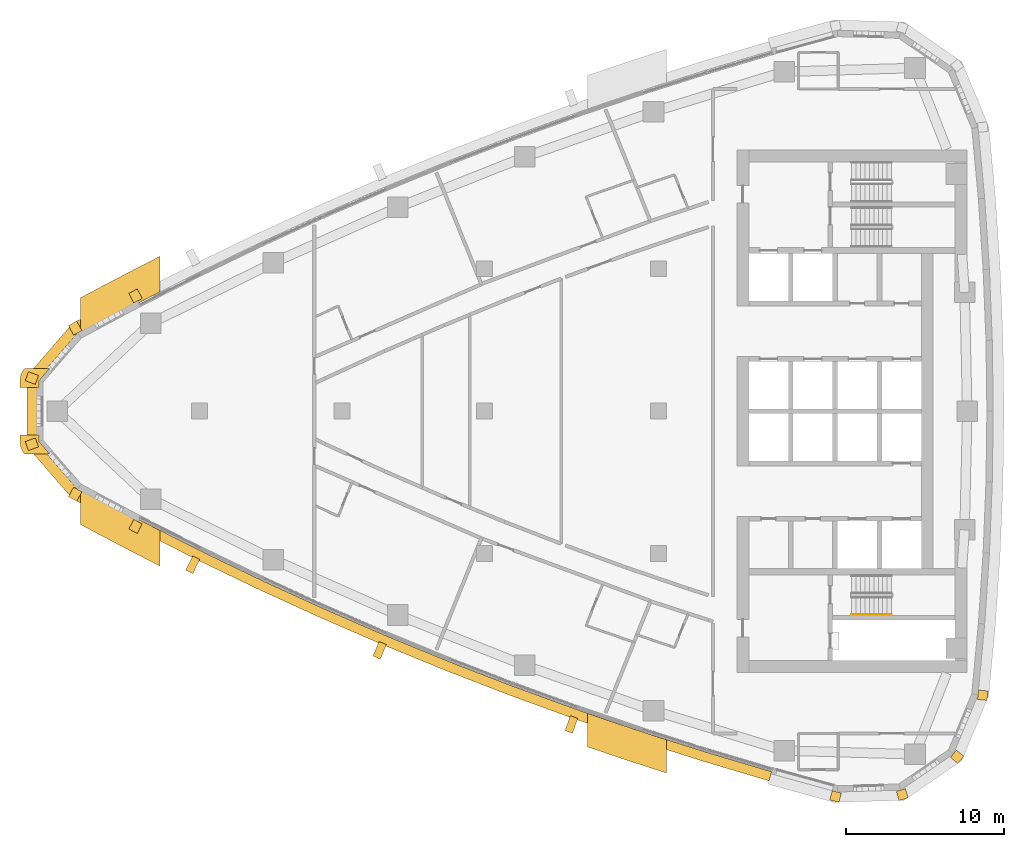
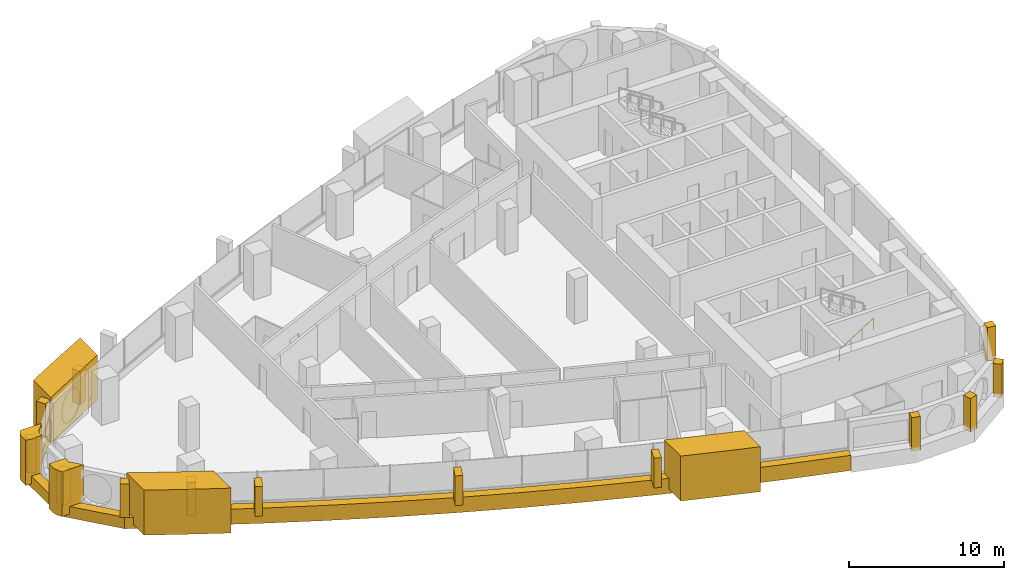
# One storey, part 13 of 16: 20 coverings, 1 railing.
"""IFC4 building model written with IfcOpenShell, lengths in metres."""

from ifc_helpers import new_model, si_unit, direction, frame, frame_2d, origin, origin_2d, place, context, subcontext, project, spatial, polyline, rectangle, circle, outline, extrude, material, layer, layer_set, type_object, element, save


model = new_model("IFC4")

# Units and contexts
model_context = context("Model", 3, precision=1e-05, world=origin(), true_north=direction((0.0, 1.0)))
body_context = subcontext(model_context, "Body", "Model", "MODEL_VIEW")
ifc_project = project(units=[si_unit("LENGTHUNIT", "METRE"), si_unit("AREAUNIT", "SQUARE_METRE"), si_unit("VOLUMEUNIT", "CUBIC_METRE"), si_unit("PLANEANGLEUNIT", "RADIAN"), si_unit("MASSUNIT", "GRAM", prefix="KILO")], contexts=[model_context])

# Site, building, storey
site_placement = place(None, origin())
site = spatial("IfcSite", under=ifc_project, at=site_placement, CompositionType="ELEMENT")
building_placement = place(site_placement, origin())
building = spatial("IfcBuilding", under=site, at=building_placement, Name="Ostrand Prow Hotel Tower", CompositionType="ELEMENT")
storey_placement = place(building_placement, frame((0.0, 0.0, 189.699951171875)))
storey = spatial("IfcBuildingStorey", under=building, at=storey_placement, Name="L47", CompositionType="ELEMENT", Elevation=189.699951171875)

# Coverings
ifc_material_1 = material(Name="Bronze anodised aluminium cladding", Category="aluminium")
ifc_layer_1 = layer(ifc_material_1, 0.60009765625)
ifc_layer_set_1 = layer_set([ifc_layer_1], Name="Bronze anodised aluminium cladding")
covering_type_1 = type_object("IfcCoveringType", Name="Bronze prow band 899x600", PredefinedType="CLADDING", material=ifc_layer_set_1)
covering_1_placement = place(storey_placement, frame((0.0, 0.0, -0.300048828125)))
element("IfcCovering", 1, at=covering_1_placement, inside=storey, type_object=covering_type_1, Name="Bronze prow band", PredefinedType="CLADDING", context=body_context, shape_type="SweptSolid", body=[
    extrude(outline(polyline([(11.8037109375, 7.58154296875), (7.9873046875, 5.546630859375), (5.09521484375, 2.20849609375), (5.09521484375, -2.20849609375), (7.9873046875, -5.546630859375), (11.8037109375, -7.58154296875), (12.117431640625, -6.978515625), (8.3134765625, -4.949951171875), (5.732421875, -1.970703125), (5.732421875, 1.970703125), (8.3134765625, 4.949951171875), (12.117431640625, 6.978515625), (11.8037109375, 7.58154296875)])), origin(), (0.0, 0.0, 1.0), 0.900146484375),
])
ifc_material_2 = material(Name="Bronze anodised aluminium cladding", Category="aluminium")
ifc_layer_2 = layer(ifc_material_2, 0.60009765625)
ifc_layer_set_2 = layer_set([ifc_layer_2], Name="Bronze anodised aluminium cladding")
covering_type_2 = type_object("IfcCoveringType", Name="Bronze spandrel band 1200x600", PredefinedType="CLADDING", material=ifc_layer_set_2)
covering_2_placement = place(storey_placement, frame((0.0, 0.0, -0.300048828125)))
element("IfcCovering", 2, at=covering_2_placement, inside=storey, type_object=covering_type_2, Name="Spandrel band S1", PredefinedType="CLADDING", context=body_context, shape_type="SweptSolid", body=[
    extrude(outline(polyline([(11.9052734375, -7.38623046875), (15.757568359375, -9.341796875), (19.648681640625, -11.219482421875), (23.57666015625, -13.0185546875), (27.5400390625, -14.738037109375), (31.537353515625, -16.37744140625), (35.566650390625, -17.93603515625), (39.626708984375, -19.4130859375), (43.7158203125, -20.80810546875), (47.831787109375, -22.12060546875), (51.9736328125, -23.35009765625), (52.138427734375, -22.773193359375), (48.00830078125, -21.547119140625), (43.90380859375, -20.23828125), (39.826171875, -18.84716796875), (35.777587890625, -17.374267578125), (31.759521484375, -15.820068359375), (27.773193359375, -14.185302734375), (23.821044921875, -12.470458984375), (19.90380859375, -10.676513671875), (16.023681640625, -8.80419921875), (12.18212890625, -6.85400390625), (11.9052734375, -7.38623046875)])), origin(), (0.0, 0.0, 1.0), 1.2001953125),
])
ifc_material_3 = material(Name="Limestone cladding", Category="masonry")
ifc_layer_3 = layer(ifc_material_3, 5.0)
ifc_layer_set_3 = layer_set([ifc_layer_3], Name="Limestone cladding")
covering_type_3 = type_object("IfcCoveringType", Name="Portal jamb pilaster limestone", PredefinedType="CLADDING", material=ifc_layer_set_3)
covering_3_placement = place(storey_placement, origin())
element("IfcCovering", 3, at=covering_3_placement, inside=storey, type_object=covering_type_3, Name="Portal jamb SA L47", PredefinedType="CLADDING", context=body_context, shape_type="SweptSolid", body=[
    extrude(outline(polyline([(8.5, -4.89208984375), (8.5, -7.1669921875), (9.5, -7.702392578125), (10.5, -8.231201171875), (11.5, -8.75341796875), (12.5, -9.268798828125), (13.5, -9.777587890625), (13.5, -7.533935546875), (12.5, -7.01904296875), (11.5, -6.497314453125), (10.5, -5.968994140625), (9.5, -5.43408203125), (8.5, -4.89208984375)])), origin(), (0.0, 0.0, 1.0), 3.550048828125),
])
covering_4_placement = place(storey_placement, origin())
element("IfcCovering", 4, at=covering_4_placement, inside=storey, type_object=covering_type_3, Name="Portal jamb SB L47", PredefinedType="CLADDING", context=body_context, shape_type="SweptSolid", body=[
    extrude(outline(polyline([(40.5, -19.08349609375), (40.5, -21.200439453125), (41.5, -21.542724609375), (42.5, -21.879638671875), (43.5, -22.211181640625), (44.5, -22.537109375), (45.5, -22.85791015625), (45.5, -20.75830078125), (44.5, -20.43408203125), (43.5, -20.104736328125), (42.5, -19.769775390625), (41.5, -19.429443359375), (40.5, -19.08349609375)])), origin(), (0.0, 0.0, 1.0), 3.550048828125),
])
covering_5_placement = place(storey_placement, origin())
element("IfcCovering", 5, at=covering_5_placement, inside=storey, type_object=covering_type_3, Name="Portal jamb NA L47", PredefinedType="CLADDING", context=body_context, shape_type="SweptSolid", body=[
    extrude(outline(polyline([(8.5, 4.89208984375), (9.5, 5.43408203125), (10.5, 5.968994140625), (11.5, 6.497314453125), (12.5, 7.01904296875), (13.5, 7.533935546875), (13.5, 9.777587890625), (12.5, 9.268798828125), (11.5, 8.75341796875), (10.5, 8.231201171875), (9.5, 7.702392578125), (8.5, 7.1669921875), (8.5, 4.89208984375)])), origin(), (0.0, 0.0, 1.0), 3.550048828125),
])
ifc_material_4 = material(Name="Limestone cladding", Category="masonry")
ifc_layer_4 = layer(ifc_material_4, 0.5)
ifc_layer_set_4 = layer_set([ifc_layer_4], Name="Limestone cladding")
covering_type_4 = type_object("IfcCoveringType", Name="Precast stone fin 500x900", PredefinedType="CLADDING", material=ifc_layer_set_4)
for number, where, z_axis, x_axis, name in (
    (6, (15.802001953125, -9.252197265625, 0.900146484375), (0.0, 0.0, 1.0), (-0.443596720488, -0.89622650573, 0.0), "Stone fin S 2"),
    (7, (27.578857421875, -14.64599609375, 0.900146484375), (0.0, 0.0, 1.0), (-0.388668122057, -0.921377822013, 0.0), "Stone fin S 5"),
    (8, (39.659912109375, -19.31884765625, 0.900146484375), (0.0, 0.0, 1.0), (-0.332296445508, -0.943174995588, 0.0), "Stone fin S 8"),
):
    element("IfcCovering", number, at=place(storey_placement, frame(where, z_axis=z_axis, x_axis=x_axis)), inside=storey, type_object=covering_type_4, Name=name, PredefinedType="CLADDING", context=body_context, shape_type="SweptSolid", body=[
        extrude(rectangle(XDim=1.0, YDim=0.5, at=frame_2d((0.5, 0.0))), origin(), (0.0, 0.0, 1.0), 2.349853515625),
    ])
ifc_material_5 = material(Name="Limestone cladding", Category="masonry")
ifc_layer_5 = layer(ifc_material_5, 0.60009765625)
ifc_layer_set_5 = layer_set([ifc_layer_5], Name="Limestone cladding")
covering_type_5 = type_object("IfcCoveringType", Name="Precast stone prow rib 600x600", PredefinedType="CLADDING", material=ifc_layer_set_5)
covering_6_placement = place(storey_placement, frame((12.117431640625, 6.978515625, 0.60009765625), z_axis=(0.0, 0.0, 1.0), x_axis=(-0.461522357319, 0.887128577882, 0.0)))
element("IfcCovering", 9, at=covering_6_placement, inside=storey, type_object=covering_type_5, Name="Stone prow rib 1", PredefinedType="CLADDING", context=body_context, shape_type="SweptSolid", body=[
    extrude(rectangle(XDim=0.6796875, YDim=0.60009765625, at=frame_2d((0.33984375, 0.0))), origin(), (0.0, 0.0, 1.0), 2.64990234375),
])
covering_7_placement = place(storey_placement, frame((8.3134765625, 4.949951171875, 0.60009765625), z_axis=(0.0, 0.0, 1.0), x_axis=(-0.479656876283, 0.877456141943, 0.0)))
element("IfcCovering", 10, at=covering_7_placement, inside=storey, type_object=covering_type_5, Name="Stone prow rib 2", PredefinedType="CLADDING", context=body_context, shape_type="SweptSolid", body=[
    extrude(rectangle(XDim=0.679931640625, YDim=0.60009765625, at=frame_2d((0.33984375, 0.0))), origin(), (0.0, 0.0, 1.0), 2.64990234375),
])
for number, where, z_axis, x_axis, name in (
    (11, (5.732421875, 1.970703125, 0.60009765625), (0.0, 0.0, 1.0), (-0.93688855374, 0.349628142277, 0.0), "Stone prow rib 3"),
    (12, (5.732421875, -1.970703125, 0.60009765625), (0.0, 0.0, 1.0), (-0.93688855374, -0.349628142277, 0.0), "Stone prow rib 4"),
):
    element("IfcCovering", number, at=place(storey_placement, frame(where, z_axis=z_axis, x_axis=x_axis)), inside=storey, type_object=covering_type_5, Name=name, PredefinedType="CLADDING", context=body_context, shape_type="SweptSolid", body=[
        extrude(rectangle(XDim=0.68017578125, YDim=0.60009765625, at=frame_2d((0.340087890625, 0.0))), origin(), (0.0, 0.0, 1.0), 2.64990234375),
    ])
covering_8_placement = place(storey_placement, frame((8.3134765625, -4.949951171875, 0.60009765625), z_axis=(0.0, 0.0, 1.0), x_axis=(-0.479656876283, -0.877456141943, 0.0)))
element("IfcCovering", 13, at=covering_8_placement, inside=storey, type_object=covering_type_5, Name="Stone prow rib 5", PredefinedType="CLADDING", context=body_context, shape_type="SweptSolid", body=[
    extrude(rectangle(XDim=0.679931640625, YDim=0.60009765625, at=frame_2d((0.33984375, 0.0))), origin(), (0.0, 0.0, 1.0), 2.64990234375),
])
covering_9_placement = place(storey_placement, frame((12.117431640625, -6.978515625, 0.60009765625), z_axis=(0.0, 0.0, 1.0), x_axis=(-0.461522357319, -0.887128577882, 0.0)))
element("IfcCovering", 14, at=covering_9_placement, inside=storey, type_object=covering_type_5, Name="Stone prow rib 6", PredefinedType="CLADDING", context=body_context, shape_type="SweptSolid", body=[
    extrude(rectangle(XDim=0.6796875, YDim=0.60009765625, at=frame_2d((0.33984375, 0.0))), origin(), (0.0, 0.0, 1.0), 2.64990234375),
])
for number, where, z_axis, x_axis, name in (
    (15, (56.256591796875, -24.05126953125, 0.60009765625), (0.0, 0.0, 1.0), (-0.255154261231, -0.966900358349, 0.0), "Stone corner rib 2a"),
    (16, (60.297607421875, -23.935302734375, 0.60009765625), (0.0, 0.0, 1.0), (0.310484329644, -0.950578498098, 0.0), "Stone corner rib 3a"),
    (17, (63.6279296875, -21.643798828125, 0.60009765625), (0.0, 0.0, 1.0), (0.776922530767, -0.62959620487, 0.0), "Stone corner rib 4a"),
    (18, (65.18017578125, -17.9111328125, 0.60009765625), (0.0, 0.0, 1.0), (0.994255138911, -0.107036062846, 0.0), "Stone corner rib 4b"),
):
    element("IfcCovering", number, at=place(storey_placement, frame(where, z_axis=z_axis, x_axis=x_axis)), inside=storey, type_object=covering_type_5, Name=name, PredefinedType="CLADDING", context=body_context, shape_type="SweptSolid", body=[
        extrude(rectangle(XDim=0.599853515625, YDim=0.60009765625, at=frame_2d((0.2998046875, 0.0))), origin(), (0.0, 0.0, 1.0), 2.64990234375),
    ])
ifc_material_6 = material(Name="Limestone cladding", Category="masonry")
ifc_layer_6 = layer(ifc_material_6, 3.0)
ifc_layer_set_6 = layer_set([ifc_layer_6], Name="Limestone cladding")
covering_type_6 = type_object("IfcCoveringType", Name="Prow nose pier limestone", PredefinedType="CLADDING", material=ifc_layer_set_6)
covering_10_placement = place(storey_placement, origin())
element("IfcCovering", 19, at=covering_10_placement, inside=storey, type_object=covering_type_6, Name="Prow spine fin N L47", PredefinedType="CLADDING", context=body_context, shape_type="SweptSolid", body=[
    extrude(outline(polyline([(4.663818359375, 1.921875), (4.663818359375, 1.5), (5.864013671875, 1.5), (5.864013671875, 1.921875), (6.5380859375, 2.699951171875), (4.950927734375, 2.699951171875), (4.881591796875, 2.611083984375), (4.816650390625, 2.507568359375), (4.762451171875, 2.39794921875), (4.719482421875, 2.283203125), (4.688720703125, 2.164794921875), (4.670166015625, 2.0439453125), (4.663818359375, 1.921875)])), origin(), (0.0, 0.0, 1.0), 3.550048828125),
])
covering_11_placement = place(storey_placement, origin())
element("IfcCovering", 20, at=covering_11_placement, inside=storey, type_object=covering_type_6, Name="Prow spine fin S L47", PredefinedType="CLADDING", context=body_context, shape_type="SweptSolid", body=[
    extrude(outline(polyline([(4.881591796875, -2.611083984375), (4.950927734375, -2.699951171875), (6.5380859375, -2.699951171875), (5.864013671875, -1.921875), (5.864013671875, -1.5), (4.663818359375, -1.5), (4.663818359375, -1.921875), (4.670166015625, -2.0439453125), (4.688720703125, -2.164794921875), (4.719482421875, -2.283203125), (4.762451171875, -2.39794921875), (4.816650390625, -2.507568359375), (4.881591796875, -2.611083984375)])), origin(), (0.0, 0.0, 1.0), 3.550048828125),
])

# Railing
ifc_material_7 = material(Name="Stainless steel", Category="steel")
railing_type = type_object("IfcRailingType", Name="Stair handrail 900", PredefinedType="HANDRAIL", material=ifc_material_7)
railing_placement = place(storey_placement, frame((57.199951171875, -12.85009765625, 0.177490234375)))
element("IfcRailing", 21, at=railing_placement, inside=storey, type_object=railing_type, Name="L47 ST2C stair handrail 1", PredefinedType="HANDRAIL", context=body_context, shape_type="SweptSolid", body=[
    extrude(circle(Radius=0.02392578125, at=origin_2d()), frame((0.0, 0.0, 0.8759765625), z_axis=(0.84456994832, 0.0, 0.535445237532), x_axis=(0.0, 1.0, 0.0)), (0.0, 0.0, 1.0), 2.98388671875),
    extrude(circle(Radius=0.02099609375, at=origin_2d()), origin(), (0.0, 0.0, 1.0), 0.851806640625),
    extrude(circle(Radius=0.02099609375, at=origin_2d()), frame((0.840087890625, 0.0, 0.532470703125)), (0.0, 0.0, 1.0), 0.851806640625),
    extrude(circle(Radius=0.02099609375, at=origin_2d()), frame((1.679931640625, 0.0, 1.065185546875)), (0.0, 0.0, 1.0), 0.851806640625),
    extrude(circle(Radius=0.02099609375, at=origin_2d()), frame((2.52001953125, 0.0, 1.59765625)), (0.0, 0.0, 1.0), 0.851806640625),
])

save(model, "model.ifc")
